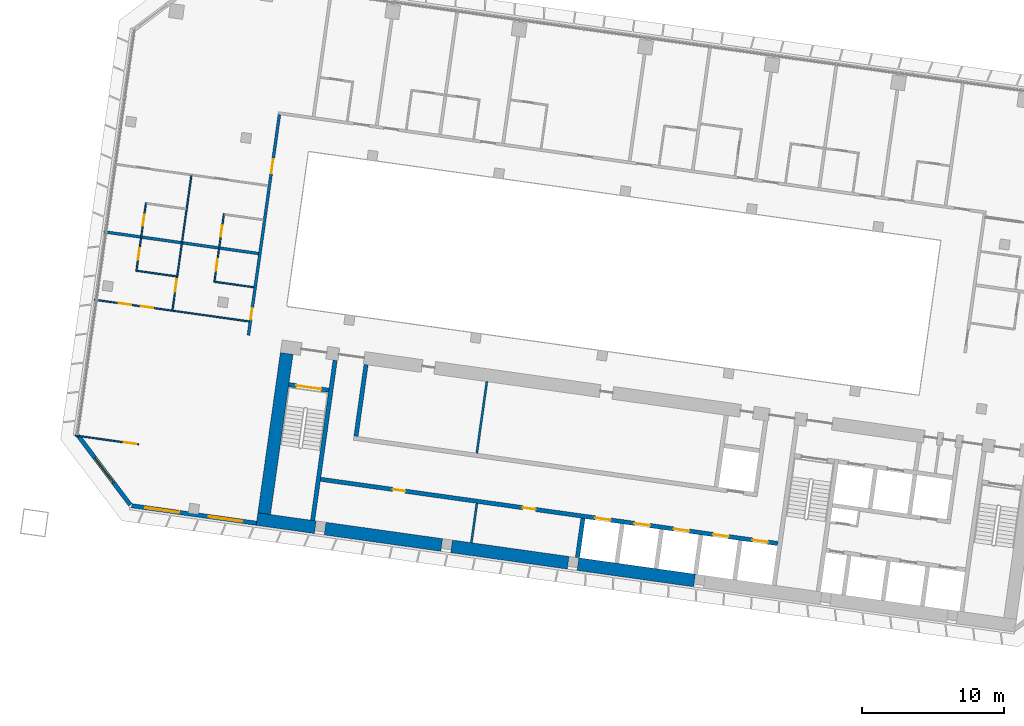
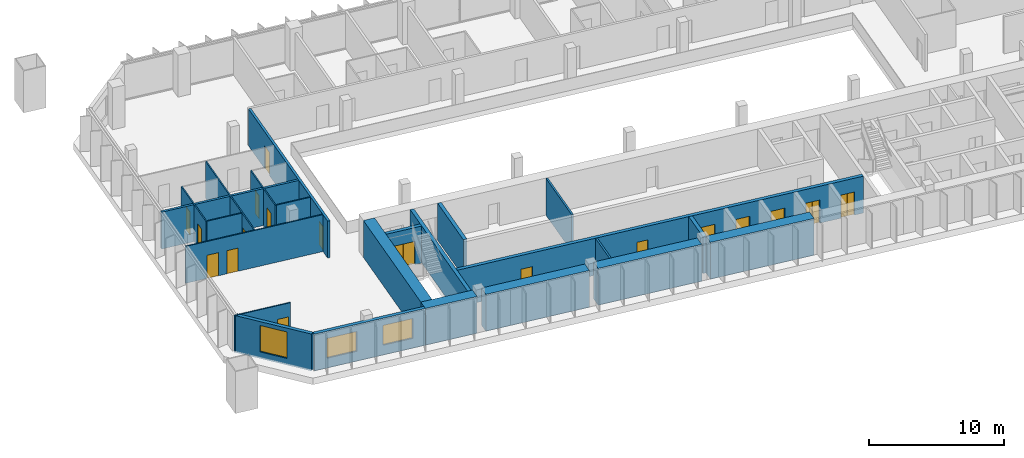
# One storey, part 14 of 24: 23 walls, 18 doors, 3 windows, 21 openings.
"""IFC4 building model written with IfcOpenShell, lengths in metres."""

from ifc_helpers import new_model, si_unit, direction, frame, frame_2d, origin, place, context, subcontext, project, spatial, rectangle, extrude, material, layer, layer_set, type_object, element, fill, save


model = new_model("IFC4")

# Units and contexts
model_context = context("Model", 3, precision=1e-05, world=origin(), true_north=direction((0.0, 1.0)))
body_context = subcontext(model_context, "Body", "Model", "MODEL_VIEW")
ifc_project = project(units=[si_unit("LENGTHUNIT", "METRE"), si_unit("AREAUNIT", "SQUARE_METRE"), si_unit("VOLUMEUNIT", "CUBIC_METRE"), si_unit("PLANEANGLEUNIT", "RADIAN"), si_unit("MASSUNIT", "GRAM", prefix="KILO")], contexts=[model_context])

# Site, building, storey
site_placement = place(None, origin())
site = spatial("IfcSite", under=ifc_project, at=site_placement, CompositionType="ELEMENT")
building_placement = place(site_placement, origin())
building = spatial("IfcBuilding", under=site, at=building_placement, Name="Mirante Cascada Hotel Towers", CompositionType="ELEMENT")
storey_placement = place(building_placement, frame((0.0, 0.0, 43.3)))
storey = spatial("IfcBuildingStorey", under=building, at=storey_placement, Name="L07", CompositionType="ELEMENT", Elevation=43.3)

# Wall
ifc_material_1 = material(Name="Fire-rated plasterboard on metal studs")
ifc_layer_1 = layer(ifc_material_1, 0.2)
ifc_layer_set_1 = layer_set([ifc_layer_1], Name="Compartment wall 200 EI 120")
wall_type_1 = type_object("IfcWallType", Name="Compartment wall 200 EI 120", PredefinedType="PARTITIONING", material=ifc_layer_set_1)
wall_1_placement = place(storey_placement, frame((-101.2993, 8.0205, 0.0), z_axis=(0.0, 0.0, 1.0), x_axis=(0.990268, -0.1391733, 0.0)))
element("IfcWall", 1, at=wall_1_placement, inside=storey, type_object=wall_type_1, Name="Wall 1-L07-09", PredefinedType="PARTITIONING", context=body_context, shape_type="SweptSolid", body=[
    extrude(rectangle(XDim=11.0, YDim=0.2, at=frame_2d((5.5, 0.0))), origin(), (0.0, 0.0, 1.0), 3.35),
])

# Wall, openings, doors
wall_2_placement = place(storey_placement, frame((-91.1145, 0.7321, 0.0), z_axis=(0.0, 0.0, 1.0), x_axis=(0.1391721, 0.9902682, 0.0)))
wall_2 = element("IfcWall", 2, at=wall_2_placement, inside=storey, type_object=wall_type_1, Name="Wall 1-L07-54", PredefinedType="PARTITIONING", context=body_context, shape_type="SweptSolid", body=[
    extrude(rectangle(XDim=15.7, YDim=0.2, at=frame_2d((7.85, 0.0))), origin(), (0.0, 0.0, 1.0), 3.35),
])
opening_1_placement = place(wall_2_placement, frame((1.1167, 0.0, 0.0)))
opening_1 = element("IfcOpeningElement", 3, at=opening_1_placement, cuts=wall_2, Name="Opening D1-L07-35", PredefinedType="OPENING", context=body_context, shape_type="SweptSolid", body=[
    extrude(rectangle(XDim=0.8, YDim=2.1, at=frame_2d((0.4, 1.05))), frame((0.0, 0.1, 0.0), z_axis=(0.0, -1.0, 0.0), x_axis=(1.0, 0.0, 0.0)), (0.0, 0.0, 1.0), 0.2),
])
opening_2_placement = place(wall_2_placement, frame((11.5166, 0.0, 0.0)))
opening_2 = element("IfcOpeningElement", 4, at=opening_2_placement, cuts=wall_2, Name="Opening D1-L07-36", PredefinedType="OPENING", context=body_context, shape_type="SweptSolid", body=[
    extrude(rectangle(XDim=1.0, YDim=2.1, at=frame_2d((0.5, 1.05))), frame((0.0, 0.1, 0.0), z_axis=(0.0, -1.0, 0.0), x_axis=(1.0, 0.0, 0.0)), (0.0, 0.0, 1.0), 0.2),
])
ifc_material_2 = material(Name="Fire-rated timber door leaf", Category="wood")
door_type_1 = type_object("IfcDoorType", Name="Bathroom door DG4 800x2100 EI 60", OperationType="SINGLE_SWING_LEFT", PredefinedType="DOOR", material=ifc_material_2)
door_1_placement = place(opening_1_placement, frame((0.8, 0.0, 0.0), z_axis=(0.0, 0.0, 1.0), x_axis=(-1.0, 0.0, 0.0)))
door_1 = element("IfcDoor", 5, at=door_1_placement, inside=storey, type_object=door_type_1, Name="Door D1-L07-35", OperationType="SINGLE_SWING_RIGHT", OverallHeight=2.1, OverallWidth=0.8, PredefinedType="DOOR", context=body_context, shape_type="SweptSolid", body=[
    extrude(rectangle(XDim=0.8, YDim=2.1, at=frame_2d((0.4, 1.05))), frame((0.0, 0.025, 0.0), z_axis=(0.0, -1.0, 0.0), x_axis=(1.0, 0.0, 0.0)), (0.0, 0.0, 1.0), 0.05),
])
fill(opening_1, door_1)
ifc_material_3 = material(Name="Fire-rated timber door leaf", Category="wood")
door_type_2 = type_object("IfcDoorType", Name="Entrance door DG1 1000x2100 EI 60", OperationType="SINGLE_SWING_LEFT", PredefinedType="DOOR", material=ifc_material_3)
door_2_placement = place(opening_2_placement, origin())
door_2 = element("IfcDoor", 6, at=door_2_placement, inside=storey, type_object=door_type_2, Name="Door D1-L07-36", OperationType="SINGLE_SWING_LEFT", OverallHeight=2.1, OverallWidth=1.0, PredefinedType="DOOR", context=body_context, shape_type="SweptSolid", body=[
    extrude(rectangle(XDim=1.0, YDim=2.1, at=frame_2d((0.5, 1.05))), frame((0.0, 0.025, 0.0), z_axis=(0.0, -1.0, 0.0), x_axis=(1.0, 0.0, 0.0)), (0.0, 0.0, 1.0), 0.05),
])
fill(opening_2, door_2)

# Walls
ifc_material_4 = material(Name="Masonry block", Category="masonry")
ifc_layer_2 = layer(ifc_material_4, 0.15)
ifc_layer_set_2 = layer_set([ifc_layer_2], Name="Core room partition 150 block EI 30")
wall_type_2 = type_object("IfcWallType", Name="Core room partition 150 block EI 30", PredefinedType="PARTITIONING", material=ifc_layer_set_2)
wall_3_placement = place(storey_placement, frame((-75.3976, -13.8977, 0.0), z_axis=(0.0, 0.0, 1.0), x_axis=(0.139141, 0.9902726, 0.0)))
element("IfcWall", 7, at=wall_3_placement, inside=storey, type_object=wall_type_2, Name="Core wall partition T1 L07 5", PredefinedType="PARTITIONING", context=body_context, shape_type="SweptSolid", body=[
    extrude(rectangle(XDim=2.8, YDim=0.15, at=frame_2d((1.4, 0.0))), origin(), (0.0, 0.0, 1.0), 3.35),
])
wall_4_placement = place(storey_placement, frame((-75.016, -7.5894, 0.0), z_axis=(0.0, 0.0, 1.0), x_axis=(0.1391755, 0.9902677, 0.0)))
element("IfcWall", 8, at=wall_4_placement, inside=storey, type_object=wall_type_2, Name="Core wall partition T1 L07 6", PredefinedType="PARTITIONING", context=body_context, shape_type="SweptSolid", body=[
    extrude(rectangle(XDim=5.1, YDim=0.15, at=frame_2d((2.55, 0.0))), origin(), (0.0, 0.0, 1.0), 3.35),
])

# Wall, opening, door
ifc_material_5 = material(Name="Plasterboard on metal studs")
ifc_layer_3 = layer(ifc_material_5, 0.1)
ifc_layer_set_3 = layer_set([ifc_layer_3], Name="Partition 100")
wall_type_3 = type_object("IfcWallType", Name="Partition 100", PredefinedType="PARTITIONING", material=ifc_layer_set_3)
wall_5_placement = place(storey_placement, frame((-103.3173, -6.3384, 0.0), z_axis=(0.0, 0.0, 1.0), x_axis=(0.9902674, -0.1391779, 0.0)))
wall_5 = element("IfcWall", 9, at=wall_5_placement, inside=storey, type_object=wall_type_3, Name="Wall 1-L07-01", PredefinedType="PARTITIONING", context=body_context, shape_type="SweptSolid", body=[
    extrude(rectangle(XDim=4.5, YDim=0.1, at=frame_2d((2.25, 0.0))), origin(), (0.0, 0.0, 1.0), 3.35),
])
opening_3_placement = place(wall_5_placement, frame((3.45, 0.0, 0.0)))
opening_3 = element("IfcOpeningElement", 10, at=opening_3_placement, cuts=wall_5, Name="Opening D1-L07-01", PredefinedType="OPENING", context=body_context, shape_type="SweptSolid", body=[
    extrude(rectangle(XDim=0.9, YDim=2.1, at=frame_2d((0.45, 1.05))), frame((0.0, 0.05, 0.0), z_axis=(0.0, -1.0, 0.0), x_axis=(1.0, 0.0, 0.0)), (0.0, 0.0, 1.0), 0.1),
])
ifc_material_6 = material(Name="Timber door leaf", Category="wood")
door_type_3 = type_object("IfcDoorType", Name="Room door DG3 900x2100", OperationType="SINGLE_SWING_LEFT", PredefinedType="DOOR", material=ifc_material_6)
door_3_placement = place(opening_3_placement, origin())
door_3 = element("IfcDoor", 11, at=door_3_placement, inside=storey, type_object=door_type_3, Name="Door D1-L07-01", OperationType="SINGLE_SWING_LEFT", OverallHeight=2.1, OverallWidth=0.9, PredefinedType="DOOR", context=body_context, shape_type="SweptSolid", body=[
    extrude(rectangle(XDim=0.9, YDim=2.1, at=frame_2d((0.45, 1.05))), frame((0.0, 0.025, 0.0), z_axis=(0.0, -1.0, 0.0), x_axis=(1.0, 0.0, 0.0)), (0.0, 0.0, 1.0), 0.05),
])
fill(opening_3, door_3)

# Wall, openings, doors
wall_6_placement = place(storey_placement, frame((-101.972, 3.2342, 0.0), z_axis=(0.0, 0.0, 1.0), x_axis=(0.9902682, -0.1391721, 0.0)))
wall_6 = element("IfcWall", 12, at=wall_6_placement, inside=storey, type_object=wall_type_3, Name="Wall 1-L07-05", PredefinedType="PARTITIONING", context=body_context, shape_type="SweptSolid", body=[
    extrude(rectangle(XDim=11.0001, YDim=0.1, at=frame_2d((5.5, 0.0))), origin(), (0.0, 0.0, 1.0), 3.35),
])
opening_4_placement = place(wall_6_placement, frame((3.3, 0.0, 0.0)))
opening_4 = element("IfcOpeningElement", 13, at=opening_4_placement, cuts=wall_6, Name="Opening D1-L07-03", PredefinedType="OPENING", context=body_context, shape_type="SweptSolid", body=[
    extrude(rectangle(XDim=0.9, YDim=2.1, at=frame_2d((0.45, 1.05))), frame((0.0, 0.05, 0.0), z_axis=(0.0, -1.0, 0.0), x_axis=(1.0, 0.0, 0.0)), (0.0, 0.0, 1.0), 0.1),
])
opening_5_placement = place(wall_6_placement, frame((1.725, 0.0, 0.0)))
opening_5 = element("IfcOpeningElement", 14, at=opening_5_placement, cuts=wall_6, Name="Opening D1-L07-04", PredefinedType="OPENING", context=body_context, shape_type="SweptSolid", body=[
    extrude(rectangle(XDim=0.9, YDim=2.1, at=frame_2d((0.45, 1.05))), frame((0.0, 0.05, 0.0), z_axis=(0.0, -1.0, 0.0), x_axis=(1.0, 0.0, 0.0)), (0.0, 0.0, 1.0), 0.1),
])
door_4_placement = place(opening_4_placement, frame((0.9, 0.0, 0.0), z_axis=(0.0, 0.0, 1.0), x_axis=(-1.0, 0.0, 0.0)))
door_4 = element("IfcDoor", 15, at=door_4_placement, inside=storey, type_object=door_type_3, Name="Door D1-L07-03", OperationType="SINGLE_SWING_RIGHT", OverallHeight=2.1, OverallWidth=0.9, PredefinedType="DOOR", context=body_context, shape_type="SweptSolid", body=[
    extrude(rectangle(XDim=0.9, YDim=2.1, at=frame_2d((0.45, 1.05))), frame((0.0, 0.025, 0.0), z_axis=(0.0, -1.0, 0.0), x_axis=(1.0, 0.0, 0.0)), (0.0, 0.0, 1.0), 0.05),
])
fill(opening_4, door_4)
door_5_placement = place(opening_5_placement, frame((0.9, 0.0, 0.0), z_axis=(0.0, 0.0, 1.0), x_axis=(-1.0, 0.0, 0.0)))
door_5 = element("IfcDoor", 16, at=door_5_placement, inside=storey, type_object=door_type_3, Name="Door D1-L07-04", OperationType="SINGLE_SWING_RIGHT", OverallHeight=2.1, OverallWidth=0.9, PredefinedType="DOOR", context=body_context, shape_type="SweptSolid", body=[
    extrude(rectangle(XDim=0.9, YDim=2.1, at=frame_2d((0.45, 1.05))), frame((0.0, 0.025, 0.0), z_axis=(0.0, -1.0, 0.0), x_axis=(1.0, 0.0, 0.0)), (0.0, 0.0, 1.0), 0.05),
])
fill(opening_5, door_5)

# Walls
wall_7_placement = place(storey_placement, frame((-90.7404, 4.1129, 0.0), z_axis=(0.0, 0.0, 1.0), x_axis=(-0.9902691, 0.1391657, 0.0)))
element("IfcWall", 17, at=wall_7_placement, inside=storey, type_object=wall_type_3, Name="Wall 1-L07-06", PredefinedType="PARTITIONING", context=body_context, shape_type="SweptSolid", body=[
    extrude(rectangle(XDim=2.75, YDim=0.1, at=frame_2d((1.375, 0.0))), origin(), (0.0, 0.0, 1.0), 3.35),
])
wall_8_placement = place(storey_placement, frame((-98.9596, 5.2681, 0.0), z_axis=(0.0, 0.0, 1.0), x_axis=(0.9902677, -0.139176, 0.0)))
element("IfcWall", 18, at=wall_8_placement, inside=storey, type_object=wall_type_3, Name="Wall 1-L07-07", PredefinedType="PARTITIONING", context=body_context, shape_type="SweptSolid", body=[
    extrude(rectangle(XDim=2.8001, YDim=0.1, at=frame_2d((1.4, 0.0))), origin(), (0.0, 0.0, 1.0), 3.35),
])

# Wall, openings, doors
wall_9_placement = place(storey_placement, frame((-92.8381, 9.3054, 0.0), z_axis=(0.0, 0.0, 1.0), x_axis=(-0.1391838, -0.9902666, 0.0)))
wall_9 = element("IfcWall", 19, at=wall_9_placement, inside=storey, type_object=wall_type_3, Name="Wall 1-L07-55", PredefinedType="PARTITIONING", context=body_context, shape_type="SweptSolid", body=[
    extrude(rectangle(XDim=4.9, YDim=0.1, at=frame_2d((2.45, 0.0))), origin(), (0.0, 0.0, 1.0), 3.35),
])
opening_6_placement = place(wall_9_placement, frame((3.25, 0.0, 0.0)))
opening_6 = element("IfcOpeningElement", 20, at=opening_6_placement, cuts=wall_9, Name="Opening D1-L07-37", PredefinedType="OPENING", context=body_context, shape_type="SweptSolid", body=[
    extrude(rectangle(XDim=0.8, YDim=2.1, at=frame_2d((0.4, 1.05))), frame((0.0, 0.05, 0.0), z_axis=(0.0, -1.0, 0.0), x_axis=(1.0, 0.0, 0.0)), (0.0, 0.0, 1.0), 0.1),
])
opening_7_placement = place(wall_9_placement, frame((0.85, 0.0, 0.0)))
opening_7 = element("IfcOpeningElement", 21, at=opening_7_placement, cuts=wall_9, Name="Opening D1-L07-38", PredefinedType="OPENING", context=body_context, shape_type="SweptSolid", body=[
    extrude(rectangle(XDim=0.8, YDim=2.1, at=frame_2d((0.4, 1.05))), frame((0.0, 0.05, 0.0), z_axis=(0.0, -1.0, 0.0), x_axis=(1.0, 0.0, 0.0)), (0.0, 0.0, 1.0), 0.1),
])
ifc_material_7 = material(Name="Timber door leaf", Category="wood")
door_type_4 = type_object("IfcDoorType", Name="Bathroom door DG4 800x2100", OperationType="SINGLE_SWING_LEFT", PredefinedType="DOOR", material=ifc_material_7)
door_6_placement = place(opening_6_placement, origin())
door_6 = element("IfcDoor", 22, at=door_6_placement, inside=storey, type_object=door_type_4, Name="Door D1-L07-37", OperationType="SINGLE_SWING_LEFT", OverallHeight=2.1, OverallWidth=0.8, PredefinedType="DOOR", context=body_context, shape_type="SweptSolid", body=[
    extrude(rectangle(XDim=0.8, YDim=2.1, at=frame_2d((0.4, 1.05))), frame((0.0, 0.025, 0.0), z_axis=(0.0, -1.0, 0.0), x_axis=(1.0, 0.0, 0.0)), (0.0, 0.0, 1.0), 0.05),
])
fill(opening_6, door_6)
door_7_placement = place(opening_7_placement, origin())
door_7 = element("IfcDoor", 23, at=door_7_placement, inside=storey, type_object=door_type_4, Name="Door D1-L07-38", OperationType="SINGLE_SWING_LEFT", OverallHeight=2.1, OverallWidth=0.8, PredefinedType="DOOR", context=body_context, shape_type="SweptSolid", body=[
    extrude(rectangle(XDim=0.8, YDim=2.1, at=frame_2d((0.4, 1.05))), frame((0.0, 0.025, 0.0), z_axis=(0.0, -1.0, 0.0), x_axis=(1.0, 0.0, 0.0)), (0.0, 0.0, 1.0), 0.05),
])
fill(opening_7, door_7)

# Wall, opening, door
wall_10_placement = place(storey_placement, frame((-96.469, 2.5113, 0.0), z_axis=(0.0, 0.0, 1.0), x_axis=(0.1391717, 0.9902683, 0.0)))
wall_10 = element("IfcWall", 24, at=wall_10_placement, inside=storey, type_object=wall_type_3, Name="Wall 1-L07-56", PredefinedType="PARTITIONING", context=body_context, shape_type="SweptSolid", body=[
    extrude(rectangle(XDim=9.5666, YDim=0.1, at=frame_2d((4.7833, 0.0))), origin(), (0.0, 0.0, 1.0), 3.35),
])
opening_8_placement = place(wall_10_placement, frame((1.3, 0.0, 0.0)))
opening_8 = element("IfcOpeningElement", 25, at=opening_8_placement, cuts=wall_10, Name="Opening D1-L07-39", PredefinedType="OPENING", context=body_context, shape_type="SweptSolid", body=[
    extrude(rectangle(XDim=0.9, YDim=2.1, at=frame_2d((0.45, 1.05))), frame((0.0, 0.05, 0.0), z_axis=(0.0, -1.0, 0.0), x_axis=(1.0, 0.0, 0.0)), (0.0, 0.0, 1.0), 0.1),
])
door_8_placement = place(opening_8_placement, frame((0.9, 0.0, 0.0), z_axis=(0.0, 0.0, 1.0), x_axis=(-1.0, 0.0, 0.0)))
door_8 = element("IfcDoor", 26, at=door_8_placement, inside=storey, type_object=door_type_3, Name="Door D1-L07-39", OperationType="SINGLE_SWING_RIGHT", OverallHeight=2.1, OverallWidth=0.9, PredefinedType="DOOR", context=body_context, shape_type="SweptSolid", body=[
    extrude(rectangle(XDim=0.9, YDim=2.1, at=frame_2d((0.45, 1.05))), frame((0.0, 0.025, 0.0), z_axis=(0.0, -1.0, 0.0), x_axis=(1.0, 0.0, 0.0)), (0.0, 0.0, 1.0), 0.05),
])
fill(opening_8, door_8)

# Wall, openings, doors
wall_11_placement = place(storey_placement, frame((-98.3341, 10.0778, 0.0), z_axis=(0.0, 0.0, 1.0), x_axis=(-0.1391838, -0.9902666, 0.0)))
wall_11 = element("IfcWall", 27, at=wall_11_placement, inside=storey, type_object=wall_type_3, Name="Wall 1-L07-57", PredefinedType="PARTITIONING", context=body_context, shape_type="SweptSolid", body=[
    extrude(rectangle(XDim=4.9, YDim=0.1, at=frame_2d((2.45, 0.0))), origin(), (0.0, 0.0, 1.0), 3.35),
])
opening_9_placement = place(wall_11_placement, frame((3.25, 0.0, 0.0)))
opening_9 = element("IfcOpeningElement", 28, at=opening_9_placement, cuts=wall_11, Name="Opening D1-L07-40", PredefinedType="OPENING", context=body_context, shape_type="SweptSolid", body=[
    extrude(rectangle(XDim=0.8, YDim=2.1, at=frame_2d((0.4, 1.05))), frame((0.0, 0.05, 0.0), z_axis=(0.0, -1.0, 0.0), x_axis=(1.0, 0.0, 0.0)), (0.0, 0.0, 1.0), 0.1),
])
opening_10_placement = place(wall_11_placement, frame((0.85, 0.0, 0.0)))
opening_10 = element("IfcOpeningElement", 29, at=opening_10_placement, cuts=wall_11, Name="Opening D1-L07-41", PredefinedType="OPENING", context=body_context, shape_type="SweptSolid", body=[
    extrude(rectangle(XDim=0.8, YDim=2.1, at=frame_2d((0.4, 1.05))), frame((0.0, 0.05, 0.0), z_axis=(0.0, -1.0, 0.0), x_axis=(1.0, 0.0, 0.0)), (0.0, 0.0, 1.0), 0.1),
])
door_9_placement = place(opening_9_placement, origin())
door_9 = element("IfcDoor", 30, at=door_9_placement, inside=storey, type_object=door_type_4, Name="Door D1-L07-40", OperationType="SINGLE_SWING_LEFT", OverallHeight=2.1, OverallWidth=0.8, PredefinedType="DOOR", context=body_context, shape_type="SweptSolid", body=[
    extrude(rectangle(XDim=0.8, YDim=2.1, at=frame_2d((0.4, 1.05))), frame((0.0, 0.025, 0.0), z_axis=(0.0, -1.0, 0.0), x_axis=(1.0, 0.0, 0.0)), (0.0, 0.0, 1.0), 0.05),
])
fill(opening_9, door_9)
door_10_placement = place(opening_10_placement, origin())
door_10 = element("IfcDoor", 31, at=door_10_placement, inside=storey, type_object=door_type_4, Name="Door D1-L07-41", OperationType="SINGLE_SWING_LEFT", OverallHeight=2.1, OverallWidth=0.8, PredefinedType="DOOR", context=body_context, shape_type="SweptSolid", body=[
    extrude(rectangle(XDim=0.8, YDim=2.1, at=frame_2d((0.4, 1.05))), frame((0.0, 0.025, 0.0), z_axis=(0.0, -1.0, 0.0), x_axis=(1.0, 0.0, 0.0)), (0.0, 0.0, 1.0), 0.05),
])
fill(opening_10, door_10)

# Wall, openings, windows
ifc_material_8 = material(Name="Precast concrete C40/50", Category="concrete")
ifc_layer_4 = layer(ifc_material_8, 0.3)
ifc_layer_set_4 = layer_set([ifc_layer_4], Name="Precast concrete C40/50 cladding wall 300")
wall_type_4 = type_object("IfcWallType", Name="Precast concrete C40/50 cladding wall 300", PredefinedType="STANDARD", material=ifc_layer_set_4)
wall_12_placement = place(storey_placement, frame((-90.5541, -12.5249, 0.0), z_axis=(0.0, 0.0, 1.0), x_axis=(-0.9902678, 0.1391749, 0.0)))
wall_12 = element("IfcWall", 32, at=wall_12_placement, inside=storey, type_object=wall_type_4, Name="Rear cladding wall T1 L07 1", PredefinedType="STANDARD", context=body_context, shape_type="SweptSolid", body=[
    extrude(rectangle(XDim=8.8759, YDim=0.3, at=frame_2d((4.438, 0.0))), origin(), (0.0, 0.0, 1.0), 3.35),
])
opening_11_placement = place(wall_12_placement, frame((1.0012, 0.0, 0.9)))
opening_11 = element("IfcOpeningElement", 33, at=opening_11_placement, cuts=wall_12, Name="Opening W1-07-01", PredefinedType="OPENING", context=body_context, shape_type="SweptSolid", body=[
    extrude(rectangle(XDim=2.4, YDim=1.8, at=frame_2d((1.2, 0.9))), frame((0.0, 0.15, 0.0), z_axis=(0.0, -1.0, 0.0), x_axis=(1.0, 0.0, 0.0)), (0.0, 0.0, 1.0), 0.3),
])
opening_12_placement = place(wall_12_placement, frame((5.4923, 0.0, 0.9)))
opening_12 = element("IfcOpeningElement", 34, at=opening_12_placement, cuts=wall_12, Name="Opening W1-07-02", PredefinedType="OPENING", context=body_context, shape_type="SweptSolid", body=[
    extrude(rectangle(XDim=2.4, YDim=1.8, at=frame_2d((1.2, 0.9))), frame((0.0, 0.15, 0.0), z_axis=(0.0, -1.0, 0.0), x_axis=(1.0, 0.0, 0.0)), (0.0, 0.0, 1.0), 0.3),
])
ifc_material_9 = material(Name="Aluminium frame with clear double glazing", Category="aluminium")
window_type_1 = type_object("IfcWindowType", Name="Punched window 2400x1800", PartitioningType="DOUBLE_PANEL_VERTICAL", PredefinedType="WINDOW", material=ifc_material_9)
window_1_placement = place(opening_11_placement, origin())
window_1 = element("IfcWindow", 35, at=window_1_placement, inside=storey, type_object=window_type_1, Name="Window W1-07-01", OverallHeight=1.8, OverallWidth=2.4, PartitioningType="SINGLE_PANEL", PredefinedType="WINDOW", context=body_context, shape_type="SweptSolid", body=[
    extrude(rectangle(XDim=2.4, YDim=1.8, at=frame_2d((1.2, 0.9))), frame((0.0, 0.03, 0.0), z_axis=(0.0, -1.0, 0.0), x_axis=(1.0, 0.0, 0.0)), (0.0, 0.0, 1.0), 0.06),
])
fill(opening_11, window_1)
window_2_placement = place(opening_12_placement, origin())
window_2 = element("IfcWindow", 36, at=window_2_placement, inside=storey, type_object=window_type_1, Name="Window W1-07-02", OverallHeight=1.8, OverallWidth=2.4, PartitioningType="SINGLE_PANEL", PredefinedType="WINDOW", context=body_context, shape_type="SweptSolid", body=[
    extrude(rectangle(XDim=2.4, YDim=1.8, at=frame_2d((1.2, 0.9))), frame((0.0, 0.03, 0.0), z_axis=(0.0, -1.0, 0.0), x_axis=(1.0, 0.0, 0.0)), (0.0, 0.0, 1.0), 0.06),
])
fill(opening_12, window_2)

# Wall, opening, window
wall_13_placement = place(storey_placement, frame((-99.4423, -11.2315, 0.0), z_axis=(0.0, 0.0, 1.0), x_axis=(-0.6018141, 0.7986362, 0.0)))
wall_13 = element("IfcWall", 37, at=wall_13_placement, inside=storey, type_object=wall_type_4, Name="Corner cladding wall T1 L07 rear outer", PredefinedType="STANDARD", context=body_context, shape_type="SweptSolid", body=[
    extrude(rectangle(XDim=6.1157, YDim=0.3, at=frame_2d((3.0578, 0.0))), origin(), (0.0, 0.0, 1.0), 3.35),
])
opening_13_placement = place(wall_13_placement, frame((1.9578, 0.0, 0.6)))
opening_13 = element("IfcOpeningElement", 38, at=opening_13_placement, cuts=wall_13, Name="Opening W1-07-03", PredefinedType="OPENING", context=body_context, shape_type="SweptSolid", body=[
    extrude(rectangle(XDim=2.2, YDim=2.4, at=frame_2d((1.1, 1.2))), frame((0.0, 0.15, 0.0), z_axis=(0.0, -1.0, 0.0), x_axis=(1.0, 0.0, 0.0)), (0.0, 0.0, 1.0), 0.3),
])
ifc_material_10 = material(Name="Aluminium frame with clear double glazing", Category="aluminium")
window_type_2 = type_object("IfcWindowType", Name="Corner suite window 2200x2400", PartitioningType="DOUBLE_PANEL_VERTICAL", PredefinedType="WINDOW", material=ifc_material_10)
window_3_placement = place(opening_13_placement, origin())
window_3 = element("IfcWindow", 39, at=window_3_placement, inside=storey, type_object=window_type_2, Name="Window W1-07-03", OverallHeight=2.4, OverallWidth=2.2, PartitioningType="SINGLE_PANEL", PredefinedType="WINDOW", context=body_context, shape_type="SweptSolid", body=[
    extrude(rectangle(XDim=2.2, YDim=2.4, at=frame_2d((1.1, 1.2))), frame((0.0, 0.03, 0.0), z_axis=(0.0, -1.0, 0.0), x_axis=(1.0, 0.0, 0.0)), (0.0, 0.0, 1.0), 0.06),
])
fill(opening_13, window_3)

# Wall
ifc_material_11 = material(Name="Concrete C50/60", Category="concrete")
ifc_layer_5 = layer(ifc_material_11, 0.3)
ifc_layer_set_5 = layer_set([ifc_layer_5], Name="RC core wall 300 C50/60")
wall_type_5 = type_object("IfcWallType", Name="RC core wall 300 C50/60", PredefinedType="SHEAR", material=ifc_layer_set_5)
wall_14_placement = place(storey_placement, frame((-86.5877, -12.325, 0.0), z_axis=(0.0, 0.0, 1.0), x_axis=(0.1391749, 0.9902678, 0.0)))
element("IfcWall", 40, at=wall_14_placement, inside=storey, type_object=wall_type_5, Name="Core wall T1:L07:8", PredefinedType="SHEAR", context=body_context, shape_type="SweptSolid", body=[
    extrude(rectangle(XDim=11.4, YDim=0.3, at=frame_2d((5.7, 0.0))), origin(), (0.0, 0.0, 1.0), 3.35),
])

# Wall, opening, door
wall_15_placement = place(storey_placement, frame((-85.4489, -3.1441, 0.0), z_axis=(0.0, 0.0, 1.0), x_axis=(-0.9902697, 0.1391613, 0.0)))
wall_15 = element("IfcWall", 41, at=wall_15_placement, inside=storey, type_object=wall_type_5, Name="Core wall T1:L07:11", PredefinedType="SHEAR", context=body_context, shape_type="SweptSolid", body=[
    extrude(rectangle(XDim=2.8499, YDim=0.3, at=frame_2d((1.425, 0.0))), origin(), (0.0, 0.0, 1.0), 3.35),
])
opening_14_placement = place(wall_15_placement, frame((0.525, 0.0, 0.0)))
opening_14 = element("IfcOpeningElement", 42, at=opening_14_placement, cuts=wall_15, Name="Opening D1-07-C17", PredefinedType="OPENING", context=body_context, shape_type="SweptSolid", body=[
    extrude(rectangle(XDim=1.8, YDim=2.1, at=frame_2d((0.9, 1.05))), frame((0.0, 0.15, 0.0), z_axis=(0.0, -1.0, 0.0), x_axis=(1.0, 0.0, 0.0)), (0.0, 0.0, 1.0), 0.3),
])
ifc_material_12 = material(Name="Hollow metal fire door leaf")
door_type_5 = type_object("IfcDoorType", Name="Double fire door 1800x2100 FD60", OperationType="DOUBLE_DOOR_SINGLE_SWING", PredefinedType="DOOR", material=ifc_material_12)
door_11_placement = place(opening_14_placement, origin())
door_11 = element("IfcDoor", 43, at=door_11_placement, inside=storey, type_object=door_type_5, Name="Stair door T1 L07 17", OperationType="DOUBLE_DOOR_SINGLE_SWING", OverallHeight=2.1, OverallWidth=1.8, PredefinedType="DOOR", context=body_context, shape_type="SweptSolid", body=[
    extrude(rectangle(XDim=0.895, YDim=2.1, at=frame_2d((0.4475, 1.05))), frame((0.0, 0.025, 0.0), z_axis=(0.0, -1.0, 0.0), x_axis=(1.0, 0.0, 0.0)), (0.0, 0.0, 1.0), 0.05),
    extrude(rectangle(XDim=0.895, YDim=2.1, at=frame_2d((1.3525, 1.05))), frame((0.0, 0.025, 0.0), z_axis=(0.0, -1.0, 0.0), x_axis=(1.0, 0.0, 0.0)), (0.0, 0.0, 1.0), 0.05),
])
fill(opening_14, door_11)

# Wall, openings, doors
wall_16_placement = place(storey_placement, frame((-53.7953, -13.9547, 0.0), z_axis=(0.0, 0.0, 1.0), x_axis=(-0.990268, 0.1391733, 0.0)))
wall_16 = element("IfcWall", 44, at=wall_16_placement, inside=storey, type_object=wall_type_5, Name="Core wall T1:L07:25", PredefinedType="SHEAR", context=body_context, shape_type="SweptSolid", body=[
    extrude(rectangle(XDim=32.5501, YDim=0.3, at=frame_2d((16.275, 0.0))), origin(), (0.0, 0.0, 1.0), 3.35),
])
opening_15_placement = place(wall_16_placement, frame((0.7, 0.0, 0.0)))
opening_15 = element("IfcOpeningElement", 45, at=opening_15_placement, cuts=wall_16, Name="Opening LD", PredefinedType="OPENING", context=body_context, shape_type="SweptSolid", body=[
    extrude(rectangle(XDim=1.1, YDim=2.1, at=frame_2d((0.55, 1.05))), frame((0.0, 0.15, 0.0), z_axis=(0.0, -1.0, 0.0), x_axis=(1.0, 0.0, 0.0)), (0.0, 0.0, 1.0), 0.3),
])
opening_16_placement = place(wall_16_placement, frame((3.5, 0.0, 0.0)))
opening_16 = element("IfcOpeningElement", 46, at=opening_16_placement, cuts=wall_16, Name="Opening LD", PredefinedType="OPENING", context=body_context, shape_type="SweptSolid", body=[
    extrude(rectangle(XDim=1.1, YDim=2.1, at=frame_2d((0.55, 1.05))), frame((0.0, 0.15, 0.0), z_axis=(0.0, -1.0, 0.0), x_axis=(1.0, 0.0, 0.0)), (0.0, 0.0, 1.0), 0.3),
])
opening_17_placement = place(wall_16_placement, frame((6.3, 0.0, 0.0)))
opening_17 = element("IfcOpeningElement", 47, at=opening_17_placement, cuts=wall_16, Name="Opening LD", PredefinedType="OPENING", context=body_context, shape_type="SweptSolid", body=[
    extrude(rectangle(XDim=1.1, YDim=2.1, at=frame_2d((0.55, 1.05))), frame((0.0, 0.15, 0.0), z_axis=(0.0, -1.0, 0.0), x_axis=(1.0, 0.0, 0.0)), (0.0, 0.0, 1.0), 0.3),
])
opening_18_placement = place(wall_16_placement, frame((9.1, 0.0, 0.0)))
opening_18 = element("IfcOpeningElement", 48, at=opening_18_placement, cuts=wall_16, Name="Opening LD", PredefinedType="OPENING", context=body_context, shape_type="SweptSolid", body=[
    extrude(rectangle(XDim=1.1, YDim=2.1, at=frame_2d((0.55, 1.05))), frame((0.0, 0.15, 0.0), z_axis=(0.0, -1.0, 0.0), x_axis=(1.0, 0.0, 0.0)), (0.0, 0.0, 1.0), 0.3),
])
opening_19_placement = place(wall_16_placement, frame((11.9, 0.0, 0.0)))
opening_19 = element("IfcOpeningElement", 49, at=opening_19_placement, cuts=wall_16, Name="Opening LD", PredefinedType="OPENING", context=body_context, shape_type="SweptSolid", body=[
    extrude(rectangle(XDim=1.1, YDim=2.1, at=frame_2d((0.55, 1.05))), frame((0.0, 0.15, 0.0), z_axis=(0.0, -1.0, 0.0), x_axis=(1.0, 0.0, 0.0)), (0.0, 0.0, 1.0), 0.3),
])
opening_20_placement = place(wall_16_placement, frame((17.25, 0.0, 0.0)))
opening_20 = element("IfcOpeningElement", 50, at=opening_20_placement, cuts=wall_16, Name="Opening D1-07-C26", PredefinedType="OPENING", context=body_context, shape_type="SweptSolid", body=[
    extrude(rectangle(XDim=0.9, YDim=2.1, at=frame_2d((0.45, 1.05))), frame((0.0, 0.15, 0.0), z_axis=(0.0, -1.0, 0.0), x_axis=(1.0, 0.0, 0.0)), (0.0, 0.0, 1.0), 0.3),
])
opening_21_placement = place(wall_16_placement, frame((26.525, 0.0, 0.0)))
opening_21 = element("IfcOpeningElement", 51, at=opening_21_placement, cuts=wall_16, Name="Opening D1-07-C27", PredefinedType="OPENING", context=body_context, shape_type="SweptSolid", body=[
    extrude(rectangle(XDim=0.9, YDim=2.1, at=frame_2d((0.45, 1.05))), frame((0.0, 0.15, 0.0), z_axis=(0.0, -1.0, 0.0), x_axis=(1.0, 0.0, 0.0)), (0.0, 0.0, 1.0), 0.3),
])
ifc_material_13 = material(Name="Hollow metal fire door leaf")
door_type_6 = type_object("IfcDoorType", Name="Fire door 900x2100 FD60", OperationType="NOTDEFINED", PredefinedType="DOOR", material=ifc_material_13)
door_12_placement = place(opening_20_placement, origin())
door_12 = element("IfcDoor", 52, at=door_12_placement, inside=storey, type_object=door_type_6, Name="Room door T1 L07 26", OperationType="SINGLE_SWING_LEFT", OverallHeight=2.1, OverallWidth=0.9, PredefinedType="DOOR", context=body_context, shape_type="SweptSolid", body=[
    extrude(rectangle(XDim=0.9, YDim=2.1, at=frame_2d((0.45, 1.05))), frame((0.0, 0.025, 0.0), z_axis=(0.0, -1.0, 0.0), x_axis=(1.0, 0.0, 0.0)), (0.0, 0.0, 1.0), 0.05),
])
fill(opening_20, door_12)
door_13_placement = place(opening_21_placement, origin())
door_13 = element("IfcDoor", 53, at=door_13_placement, inside=storey, type_object=door_type_6, Name="Room door T1 L07 27", OperationType="SINGLE_SWING_LEFT", OverallHeight=2.1, OverallWidth=0.9, PredefinedType="DOOR", context=body_context, shape_type="SweptSolid", body=[
    extrude(rectangle(XDim=0.9, YDim=2.1, at=frame_2d((0.45, 1.05))), frame((0.0, 0.025, 0.0), z_axis=(0.0, -1.0, 0.0), x_axis=(1.0, 0.0, 0.0)), (0.0, 0.0, 1.0), 0.05),
])
fill(opening_21, door_13)
ifc_material_14 = material(Name="Stainless steel", Category="steel")
door_type_7 = type_object("IfcDoorType", Name="Lift landing door 1100x2100 EI 120", OperationType="DOUBLE_DOOR_SLIDING", PredefinedType="DOOR", material=ifc_material_14)
door_14_placement = place(opening_15_placement, origin())
door_14 = element("IfcDoor", 54, at=door_14_placement, inside=storey, type_object=door_type_7, Name="Lift landing door LR1-1 L07", OperationType="DOUBLE_DOOR_SLIDING", OverallHeight=2.1, OverallWidth=1.1, PredefinedType="DOOR", context=body_context, shape_type="SweptSolid", body=[
    extrude(rectangle(XDim=0.545, YDim=2.1, at=frame_2d((0.2725, 1.05))), frame((0.0, 0.025, 0.0), z_axis=(0.0, -1.0, 0.0), x_axis=(1.0, 0.0, 0.0)), (0.0, 0.0, 1.0), 0.05),
    extrude(rectangle(XDim=0.545, YDim=2.1, at=frame_2d((0.8275, 1.05))), frame((0.0, 0.025, 0.0), z_axis=(0.0, -1.0, 0.0), x_axis=(1.0, 0.0, 0.0)), (0.0, 0.0, 1.0), 0.05),
])
fill(opening_15, door_14)
door_15_placement = place(opening_16_placement, origin())
door_15 = element("IfcDoor", 55, at=door_15_placement, inside=storey, type_object=door_type_7, Name="Lift landing door LR1-2 L07", OperationType="DOUBLE_DOOR_SLIDING", OverallHeight=2.1, OverallWidth=1.1, PredefinedType="DOOR", context=body_context, shape_type="SweptSolid", body=[
    extrude(rectangle(XDim=0.545, YDim=2.1, at=frame_2d((0.2725, 1.05))), frame((0.0, 0.025, 0.0), z_axis=(0.0, -1.0, 0.0), x_axis=(1.0, 0.0, 0.0)), (0.0, 0.0, 1.0), 0.05),
    extrude(rectangle(XDim=0.545, YDim=2.1, at=frame_2d((0.8275, 1.05))), frame((0.0, 0.025, 0.0), z_axis=(0.0, -1.0, 0.0), x_axis=(1.0, 0.0, 0.0)), (0.0, 0.0, 1.0), 0.05),
])
fill(opening_16, door_15)
door_16_placement = place(opening_17_placement, origin())
door_16 = element("IfcDoor", 56, at=door_16_placement, inside=storey, type_object=door_type_7, Name="Lift landing door SV1-1 L07", OperationType="DOUBLE_DOOR_SLIDING", OverallHeight=2.1, OverallWidth=1.1, PredefinedType="DOOR", context=body_context, shape_type="SweptSolid", body=[
    extrude(rectangle(XDim=0.545, YDim=2.1, at=frame_2d((0.2725, 1.05))), frame((0.0, 0.025, 0.0), z_axis=(0.0, -1.0, 0.0), x_axis=(1.0, 0.0, 0.0)), (0.0, 0.0, 1.0), 0.05),
    extrude(rectangle(XDim=0.545, YDim=2.1, at=frame_2d((0.8275, 1.05))), frame((0.0, 0.025, 0.0), z_axis=(0.0, -1.0, 0.0), x_axis=(1.0, 0.0, 0.0)), (0.0, 0.0, 1.0), 0.05),
])
fill(opening_17, door_16)
door_17_placement = place(opening_18_placement, origin())
door_17 = element("IfcDoor", 57, at=door_17_placement, inside=storey, type_object=door_type_7, Name="Lift landing door SV1-2 L07", OperationType="DOUBLE_DOOR_SLIDING", OverallHeight=2.1, OverallWidth=1.1, PredefinedType="DOOR", context=body_context, shape_type="SweptSolid", body=[
    extrude(rectangle(XDim=0.545, YDim=2.1, at=frame_2d((0.2725, 1.05))), frame((0.0, 0.025, 0.0), z_axis=(0.0, -1.0, 0.0), x_axis=(1.0, 0.0, 0.0)), (0.0, 0.0, 1.0), 0.05),
    extrude(rectangle(XDim=0.545, YDim=2.1, at=frame_2d((0.8275, 1.05))), frame((0.0, 0.025, 0.0), z_axis=(0.0, -1.0, 0.0), x_axis=(1.0, 0.0, 0.0)), (0.0, 0.0, 1.0), 0.05),
])
fill(opening_18, door_17)
door_18_placement = place(opening_19_placement, origin())
door_18 = element("IfcDoor", 58, at=door_18_placement, inside=storey, type_object=door_type_7, Name="Lift landing door SV1-3 L07", OperationType="DOUBLE_DOOR_SLIDING", OverallHeight=2.1, OverallWidth=1.1, PredefinedType="DOOR", context=body_context, shape_type="SweptSolid", body=[
    extrude(rectangle(XDim=0.545, YDim=2.1, at=frame_2d((0.2725, 1.05))), frame((0.0, 0.025, 0.0), z_axis=(0.0, -1.0, 0.0), x_axis=(1.0, 0.0, 0.0)), (0.0, 0.0, 1.0), 0.05),
    extrude(rectangle(XDim=0.545, YDim=2.1, at=frame_2d((0.8275, 1.05))), frame((0.0, 0.025, 0.0), z_axis=(0.0, -1.0, 0.0), x_axis=(1.0, 0.0, 0.0)), (0.0, 0.0, 1.0), 0.05),
])
fill(opening_19, door_18)

# Walls
wall_17_placement = place(storey_placement, frame((-67.9211, -14.9484, 0.0), z_axis=(0.0, 0.0, 1.0), x_axis=(0.139181, 0.990267, 0.0)))
element("IfcWall", 59, at=wall_17_placement, inside=storey, type_object=wall_type_5, Name="Core wall T1:L07:30", PredefinedType="SHEAR", context=body_context, shape_type="SweptSolid", body=[
    extrude(rectangle(XDim=2.8, YDim=0.3, at=frame_2d((1.4, 0.0))), origin(), (0.0, 0.0, 1.0), 3.35),
])
wall_18_placement = place(storey_placement, frame((-83.5323, -6.3925, 0.0), z_axis=(0.0, 0.0, 1.0), x_axis=(0.1391755, 0.9902677, 0.0)))
element("IfcWall", 60, at=wall_18_placement, inside=storey, type_object=wall_type_5, Name="Core wall T1:L07:34", PredefinedType="SHEAR", context=body_context, shape_type="SweptSolid", body=[
    extrude(rectangle(XDim=5.1, YDim=0.3, at=frame_2d((2.55, 0.0))), origin(), (0.0, 0.0, 1.0), 3.35),
])
ifc_material_15 = material(Name="Concrete C50/60", Category="concrete")
ifc_layer_6 = layer(ifc_material_15, 0.9)
ifc_layer_set_6 = layer_set([ifc_layer_6], Name="RC core wall 900 C50/60")
wall_type_6 = type_object("IfcWallType", Name="RC core wall 900 C50/60", PredefinedType="SHEAR", material=ifc_layer_set_6)
for number, where, z_axis, x_axis, name in (
    (61, (-59.6655, -16.5631, 0.0), (0.0, 0.0, 1.0), (-0.9902686, 0.1391692, 0.0), "Core wall T1:L07:1.4"),
    (62, (-68.5779, -15.3105, 0.0), (0.0, 0.0, 1.0), (-0.9902686, 0.1391692, 0.0), "Core wall T1:L07:1.5"),
    (63, (-77.4903, -14.058, 0.0), (0.0, 0.0, 1.0), (-0.990267, 0.139181, 0.0), "Core wall T1:L07:1.6"),
):
    element("IfcWall", number, at=place(storey_placement, frame(where, z_axis=z_axis, x_axis=x_axis)), inside=storey, type_object=wall_type_6, Name=name, PredefinedType="SHEAR", context=body_context, shape_type="SweptSolid", body=[
        extrude(rectangle(XDim=8.3, YDim=0.9, at=frame_2d((4.15, 0.0))), origin(), (0.0, 0.0, 1.0), 3.35),
    ])
wall_19_placement = place(storey_placement, frame((-86.4027, -12.8054, 0.0), z_axis=(0.0, 0.0, 1.0), x_axis=(-0.990267, 0.139181, 0.0)))
element("IfcWall", 64, at=wall_19_placement, inside=storey, type_object=wall_type_6, Name="Core wall T1:L07:1.7", PredefinedType="SHEAR", context=body_context, shape_type="SweptSolid", body=[
    extrude(rectangle(XDim=4.15, YDim=0.9, at=frame_2d((2.075, 0.0))), origin(), (0.0, 0.0, 1.0), 3.35),
])
wall_20_placement = place(storey_placement, frame((-90.0041, -11.8449, 0.0), z_axis=(0.0, 0.0, 1.0), x_axis=(0.1391749, 0.9902678, 0.0)))
element("IfcWall", 65, at=wall_20_placement, inside=storey, type_object=wall_type_6, Name="Core wall T1:L07:4", PredefinedType="SHEAR", context=body_context, shape_type="SweptSolid", body=[
    extrude(rectangle(XDim=11.4, YDim=0.9, at=frame_2d((5.7, 0.0))), origin(), (0.0, 0.0, 1.0), 3.35),
])

save(model, "model.ifc")
